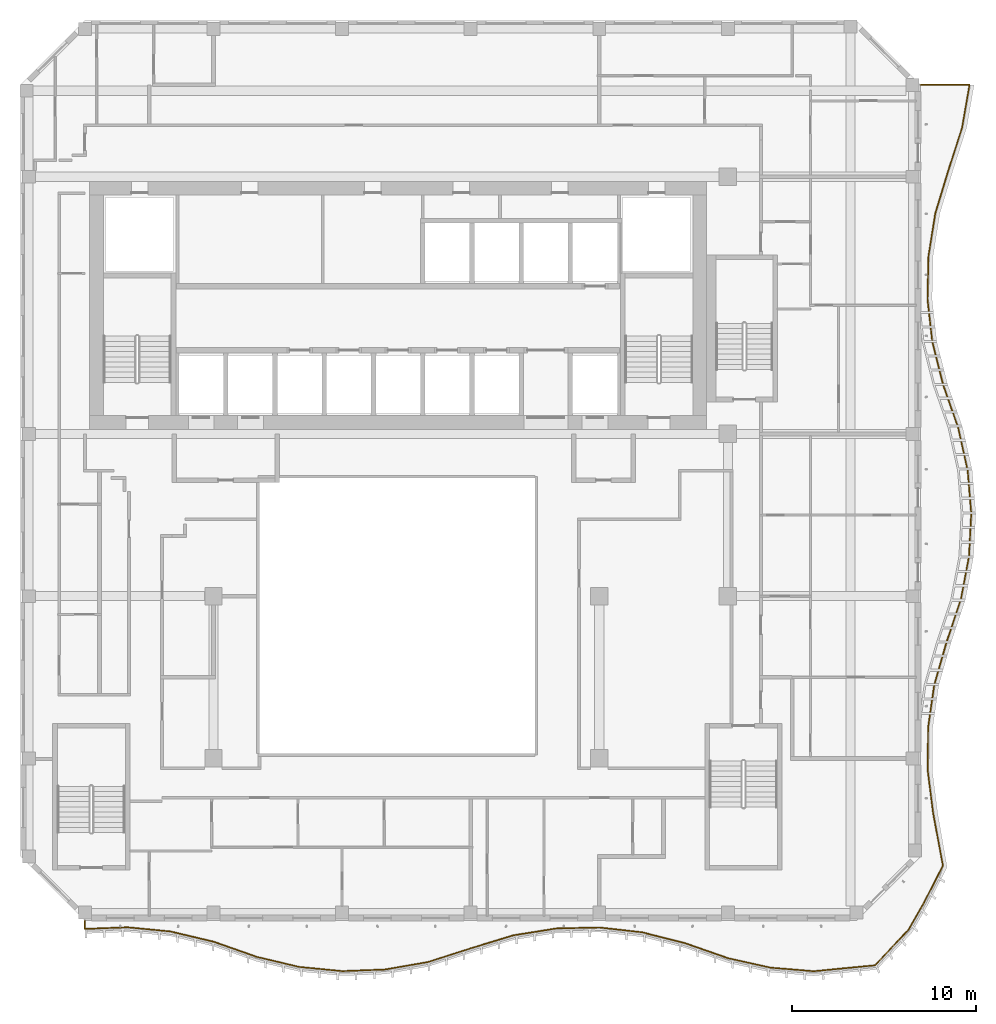
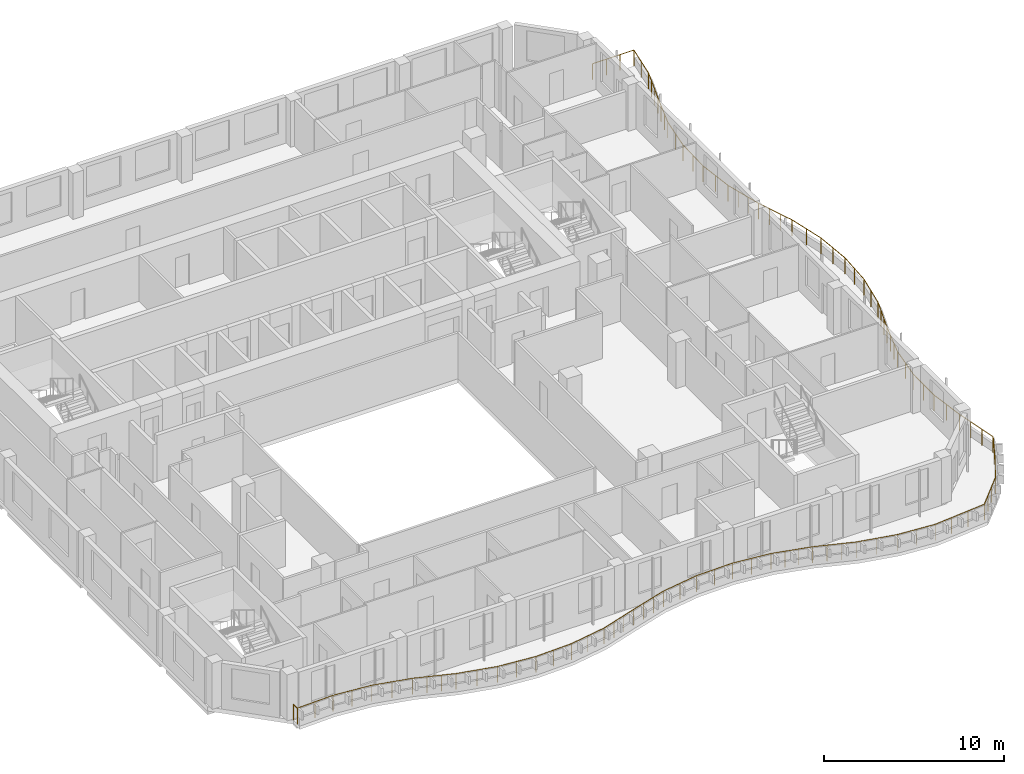
# One storey, part 17 of 20: 1 railing.
"""IFC4 building model written with IfcOpenShell, lengths in metres."""

from ifc_helpers import new_model, si_unit, direction, frame, origin, origin_2d, place, context, subcontext, project, spatial, circle, extrude, material, type_object, element, save


model = new_model("IFC4")

# Units and contexts
model_context = context("Model", 3, precision=1e-05, world=origin(), true_north=direction((0.0, 1.0)))
body_context = subcontext(model_context, "Body", "Model", "MODEL_VIEW")
ifc_project = project(units=[si_unit("LENGTHUNIT", "METRE"), si_unit("AREAUNIT", "SQUARE_METRE"), si_unit("VOLUMEUNIT", "CUBIC_METRE"), si_unit("PLANEANGLEUNIT", "RADIAN"), si_unit("MASSUNIT", "GRAM", prefix="KILO")], contexts=[model_context])

# Site, building, storey
site_placement = place(None, origin())
site = spatial("IfcSite", under=ifc_project, at=site_placement, CompositionType="ELEMENT")
building_placement = place(site_placement, origin())
building = spatial("IfcBuilding", under=site, at=building_placement, Name="Kilnfold Tower and Market Hall", CompositionType="ELEMENT")
storey_placement = place(building_placement, frame((0.0, 0.0, 239.0)))
storey = spatial("IfcBuildingStorey", under=building, at=storey_placement, Name="L57", CompositionType="ELEMENT", Elevation=239.0)

# Railing
ifc_material = material(Name="Stainless steel and laminated glass", Category="steel")
railing_type = type_object("IfcRailingType", Name="GUARD 1100", PredefinedType="GUARDRAIL", material=ifc_material)
railing_placement = place(storey_placement, frame((-16.0, -18.5, 0.0)))
element("IfcRailing", 1, at=railing_placement, inside=storey, type_object=railing_type, Name="Guard balcony L57", PredefinedType="GUARDRAIL", context=body_context, shape_type="SweptSolid", body=[
    extrude(circle(Radius=0.02490234375, at=origin_2d()), frame((0.0, 0.0, 1.0751953125), z_axis=(0.0, -1.0, 0.0), x_axis=(1.0, 0.0, 0.0)), (0.0, 0.0, 1.0), 0.44482421875),
    extrude(circle(Radius=0.02490234375, at=origin_2d()), frame((0.0, -0.44482421875, 1.0751953125), z_axis=(0.999303038081, 0.037328783572, 0.0), x_axis=(-0.037328783572, 0.999303038081, 0.0)), (0.0, 0.0, 1.0), 2.3349609375),
    extrude(circle(Radius=0.02490234375, at=origin_2d()), frame((2.333251953125, -0.357666015625, 1.0751953125), z_axis=(0.995289594459, -0.096946496384, 0.0), x_axis=(0.096946496384, 0.995289594459, 0.0)), (0.0, 0.0, 1.0), 2.344482421875),
    extrude(circle(Radius=0.02490234375, at=origin_2d()), frame((4.666748046875, -0.5849609375, 1.0751953125), z_axis=(0.972908793579, -0.231189271761, 0.0), x_axis=(0.231189271761, 0.972908793579, 0.0)), (0.0, 0.0, 1.0), 2.398193359375),
    extrude(circle(Radius=0.02490234375, at=origin_2d()), frame((7.0, -1.139404296875, 1.0751953125), z_axis=(0.943455967454, -0.331497869489, 0.0), x_axis=(0.331497869489, 0.943455967454, 0.0)), (0.0, 0.0, 1.0), 2.47314453125),
    extrude(circle(Radius=0.02490234375, at=origin_2d()), frame((9.333251953125, -1.959228515625, 1.0751953125), z_axis=(0.972845516139, -0.231455399006, 0.0), x_axis=(0.231455399006, 0.972845516139, 0.0)), (0.0, 0.0, 1.0), 2.398681640625),
    extrude(circle(Radius=0.02490234375, at=origin_2d()), frame((11.666748046875, -2.514404296875, 1.0751953125), z_axis=(0.995268495211, -0.097162865547, 0.0), x_axis=(0.097162865547, 0.995268495211, 0.0)), (0.0, 0.0, 1.0), 2.34423828125),
    extrude(circle(Radius=0.02490234375, at=origin_2d()), frame((14.0, -2.7421875, 1.0751953125), z_axis=(0.999310817255, 0.037119947695, 0.0), x_axis=(-0.037119947695, 0.999310817255, 0.0)), (0.0, 0.0, 1.0), 2.3349609375),
    extrude(circle(Radius=0.02490234375, at=origin_2d()), frame((16.333251953125, -2.655517578125, 1.0751953125), z_axis=(0.985233686596, 0.171215019192, 0.0), x_axis=(-0.171215019192, 0.985233686596, 0.0)), (0.0, 0.0, 1.0), 2.368408203125),
    extrude(circle(Radius=0.02490234375, at=origin_2d()), frame((18.666748046875, -2.25, 1.0751953125), z_axis=(0.95225740835, 0.305296295823, 0.0), x_axis=(-0.305296295823, 0.95225740835, 0.0)), (0.0, 0.0, 1.0), 2.4501953125),
    extrude(circle(Radius=0.02490234375, at=origin_2d()), frame((21.0, -1.501953125, 1.0751953125), z_axis=(0.956608396166, 0.29137669156, 0.0), x_axis=(-0.29137669156, 0.956608396166, 0.0)), (0.0, 0.0, 1.0), 2.439208984375),
    extrude(circle(Radius=0.02490234375, at=origin_2d()), frame((23.333251953125, -0.791259765625, 1.0751953125), z_axis=(0.987589778257, 0.157055499367, 0.0), x_axis=(-0.157055499367, 0.987589778257, 0.0)), (0.0, 0.0, 1.0), 2.36279296875),
    extrude(circle(Radius=0.02490234375, at=origin_2d()), frame((25.666748046875, -0.420166015625, 1.0751953125), z_axis=(0.999739941902, 0.022804573332, 0.0), x_axis=(-0.022804573332, 0.999739941902, 0.0)), (0.0, 0.0, 1.0), 2.333740234375),
    extrude(circle(Radius=0.02490234375, at=origin_2d()), frame((28.0, -0.366943359375, 1.0751953125), z_axis=(0.993767796015, -0.111470030065, 0.0), x_axis=(0.111470030065, 0.993767796015, 0.0)), (0.0, 0.0, 1.0), 2.347900390625),
    extrude(circle(Radius=0.02490234375, at=origin_2d()), frame((30.333251953125, -0.628662109375, 1.0751953125), z_axis=(0.969337830713, -0.245731906656, 0.0), x_axis=(0.245731906656, 0.969337830713, 0.0)), (0.0, 0.0, 1.0), 2.4072265625),
    extrude(circle(Radius=0.02490234375, at=origin_2d()), frame((32.666748046875, -1.22021484375, 1.0751953125), z_axis=(0.943979944569, -0.330002824611, 0.0), x_axis=(0.330002824611, 0.943979944569, 0.0)), (0.0, 0.0, 1.0), 2.4716796875),
    extrude(circle(Radius=0.02490234375, at=origin_2d()), frame((35.0, -2.035888671875, 1.0751953125), z_axis=(0.976182253207, -0.216952088083, 0.0), x_axis=(0.216952088083, 0.976182253207, 0.0)), (0.0, 0.0, 1.0), 2.39013671875),
    extrude(circle(Radius=0.02490234375, at=origin_2d()), frame((37.333251953125, -2.554443359375, 1.0751953125), z_axis=(0.996584479795, -0.082579504917, 0.0), x_axis=(0.082579504917, 0.996584479795, 0.0)), (0.0, 0.0, 1.0), 2.341552734375),
    extrude(circle(Radius=0.02490234375, at=origin_2d()), frame((39.666748046875, -2.747802734375, 1.0751953125), z_axis=(0.995422222904, 0.095575091676, 0.0), x_axis=(-0.095575091676, 0.995422222904, 0.0)), (0.0, 0.0, 1.0), 3.35400390625),
    extrude(circle(Radius=0.02490234375, at=origin_2d()), frame((43.00537109375, -2.42724609375, 1.0751953125), z_axis=(0.686126841928, 0.727481928838, 0.0), x_axis=(-0.727481928838, 0.686126841928, 0.0)), (0.0, 0.0, 1.0), 2.656494140625),
    extrude(circle(Radius=0.02490234375, at=origin_2d()), frame((44.828125, -0.49462890625, 1.0751953125), z_axis=(0.49818388275, 0.867071403616, 0.0), x_axis=(-0.867071403616, 0.49818388275, 0.0)), (0.0, 0.0, 1.0), 1.708740234375),
    extrude(circle(Radius=0.02490234375, at=origin_2d()), frame((45.679443359375, 0.987060546875, 1.0751953125), z_axis=(0.454844600621, 0.890570822162, 0.0), x_axis=(-0.890570822162, 0.454844600621, 0.0)), (0.0, 0.0, 1.0), 2.26025390625),
    extrude(circle(Radius=0.02490234375, at=origin_2d()), frame((46.70751953125, 3.0, 1.0751953125), z_axis=(-0.183966349119, 0.982932542137, 0.0), x_axis=(-0.982932542137, -0.183966349119, 0.0)), (0.0, 0.0, 1.0), 2.882568359375),
    extrude(circle(Radius=0.02490234375, at=origin_2d()), frame((46.17724609375, 5.833251953125, 1.0751953125), z_axis=(-0.126205998264, 0.992004055436, 0.0), x_axis=(-0.992004055436, -0.126205998264, 0.0)), (0.0, 0.0, 1.0), 2.352294921875),
    extrude(circle(Radius=0.02490234375, at=origin_2d()), frame((45.88037109375, 8.166748046875, 1.0751953125), z_axis=(0.007952034847, 0.999968382071, 0.0), x_axis=(-0.999968382071, 0.007952034847, 0.0)), (0.0, 0.0, 1.0), 2.333251953125),
    extrude(circle(Radius=0.02490234375, at=origin_2d()), frame((45.89892578125, 10.5, 1.0751953125), z_axis=(0.14230579139, 0.989822742584, 0.0), x_axis=(-0.989822742584, 0.14230579139, 0.0)), (0.0, 0.0, 1.0), 2.357177734375),
    extrude(circle(Radius=0.02490234375, at=origin_2d()), frame((46.234375, 12.833251953125, 1.0751953125), z_axis=(0.276592977758, 0.960987161545, 0.0), x_axis=(-0.960987161545, 0.276592977758, 0.0)), (0.0, 0.0, 1.0), 2.42822265625),
    extrude(circle(Radius=0.02490234375, at=origin_2d()), frame((46.906005859375, 15.166748046875, 1.0751953125), z_axis=(0.316614823647, 0.948554191097, 0.0), x_axis=(-0.948554191097, 0.316614823647, 0.0)), (0.0, 0.0, 1.0), 2.459716796875),
    extrude(circle(Radius=0.02490234375, at=origin_2d()), frame((47.684814453125, 17.5, 1.0751953125), z_axis=(0.186082127309, 0.982534193754, 0.0), x_axis=(-0.982534193754, 0.186082127309, 0.0)), (0.0, 0.0, 1.0), 2.374755859375),
    extrude(circle(Radius=0.02490234375, at=origin_2d()), frame((48.126708984375, 19.833251953125, 1.0751953125), z_axis=(0.051928171032, 0.998650822387, 0.0), x_axis=(-0.998650822387, 0.051928171032, 0.0)), (0.0, 0.0, 1.0), 2.336669921875),
    extrude(circle(Radius=0.02490234375, at=origin_2d()), frame((48.248046875, 22.166748046875, 1.0751953125), z_axis=(-0.082484518752, 0.99659234603, 0.0), x_axis=(-0.99659234603, -0.082484518752, 0.0)), (0.0, 0.0, 1.0), 2.34130859375),
    extrude(circle(Radius=0.02490234375, at=origin_2d()), frame((48.054931640625, 24.5, 1.0751953125), z_axis=(-0.216660052559, 0.976247110943, 0.0), x_axis=(-0.976247110943, -0.216660052559, 0.0)), (0.0, 0.0, 1.0), 2.39013671875),
    extrude(circle(Radius=0.02490234375, at=origin_2d()), frame((47.537109375, 26.833251953125, 1.0751953125), z_axis=(-0.329884042589, 0.944021460797, 0.0), x_axis=(-0.944021460797, -0.329884042589, 0.0)), (0.0, 0.0, 1.0), 2.471923828125),
    extrude(circle(Radius=0.02490234375, at=origin_2d()), frame((46.7216796875, 29.166748046875, 1.0751953125), z_axis=(-0.246041935802, 0.96925918403, 0.0), x_axis=(-0.96925918403, -0.246041935802, 0.0)), (0.0, 0.0, 1.0), 2.4072265625),
    extrude(circle(Radius=0.02490234375, at=origin_2d()), frame((46.12939453125, 31.5, 1.0751953125), z_axis=(-0.111675405291, 0.993744737774, 0.0), x_axis=(-0.993744737774, -0.111675405291, 0.0)), (0.0, 0.0, 1.0), 2.347900390625),
    extrude(circle(Radius=0.02490234375, at=origin_2d()), frame((45.8671875, 33.833251953125, 1.0751953125), z_axis=(0.022593101544, 0.999744743303, 0.0), x_axis=(-0.999744743303, 0.022593101544, 0.0)), (0.0, 0.0, 1.0), 2.333984375),
    extrude(circle(Radius=0.02490234375, at=origin_2d()), frame((45.919921875, 36.166748046875, 1.0751953125), z_axis=(0.15676914423, 0.98763527449, 0.0), x_axis=(-0.98763527449, 0.15676914423, 0.0)), (0.0, 0.0, 1.0), 2.362548828125),
    extrude(circle(Radius=0.02490234375, at=origin_2d()), frame((46.290283203125, 38.5, 1.0751953125), z_axis=(0.291101864674, 0.95669206351, 0.0), x_axis=(-0.95669206351, 0.291101864674, 0.0)), (0.0, 0.0, 1.0), 2.43896484375),
    extrude(circle(Radius=0.02490234375, at=origin_2d()), frame((47.000244140625, 40.833251953125, 1.0751953125), z_axis=(0.305448006527, 0.95220875616, 0.0), x_axis=(-0.95220875616, 0.305448006527, 0.0)), (0.0, 0.0, 1.0), 2.45068359375),
    extrude(circle(Radius=0.02490234375, at=origin_2d()), frame((47.748779296875, 43.166748046875, 1.0751953125), z_axis=(0.17163263585, 0.985161021514, 0.0), x_axis=(-0.985161021514, 0.17163263585, 0.0)), (0.0, 0.0, 1.0), 2.368408203125),
    extrude(circle(Radius=0.02490234375, at=origin_2d()), frame((48.1552734375, 45.5, 1.0751953125), z_axis=(-1.0, 0.0, 0.0), x_axis=(0.0, -1.0, 0.0)), (0.0, 0.0, 1.0), 2.6552734375),
    extrude(circle(Radius=0.02490234375, at=origin_2d()), origin(), (0.0, 0.0, 1.0), 1.050048828125),
    extrude(circle(Radius=0.02490234375, at=origin_2d()), frame((0.0, -0.44482421875, 0.0)), (0.0, 0.0, 1.0), 1.050048828125),
    extrude(circle(Radius=0.02490234375, at=origin_2d()), frame((1.16650390625, -0.4013671875, 0.0)), (0.0, 0.0, 1.0), 1.050048828125),
    extrude(circle(Radius=0.02490234375, at=origin_2d()), frame((2.333251953125, -0.357666015625, 0.0)), (0.0, 0.0, 1.0), 1.050048828125),
    extrude(circle(Radius=0.02490234375, at=origin_2d()), frame((3.5, -0.47119140625, 0.0)), (0.0, 0.0, 1.0), 1.050048828125),
    extrude(circle(Radius=0.02490234375, at=origin_2d()), frame((4.666748046875, -0.5849609375, 0.0)), (0.0, 0.0, 1.0), 1.050048828125),
    extrude(circle(Radius=0.02490234375, at=origin_2d()), frame((5.83349609375, -0.8623046875, 0.0)), (0.0, 0.0, 1.0), 1.050048828125),
    extrude(circle(Radius=0.02490234375, at=origin_2d()), frame((7.0, -1.139404296875, 0.0)), (0.0, 0.0, 1.0), 1.050048828125),
    extrude(circle(Radius=0.02490234375, at=origin_2d()), frame((7.77783203125, -1.41259765625, 0.0)), (0.0, 0.0, 1.0), 1.050048828125),
    extrude(circle(Radius=0.02490234375, at=origin_2d()), frame((8.555419921875, -1.68603515625, 0.0)), (0.0, 0.0, 1.0), 1.050048828125),
    extrude(circle(Radius=0.02490234375, at=origin_2d()), frame((9.333251953125, -1.959228515625, 0.0)), (0.0, 0.0, 1.0), 1.050048828125),
    extrude(circle(Radius=0.02490234375, at=origin_2d()), frame((10.5, -2.23681640625, 0.0)), (0.0, 0.0, 1.0), 1.050048828125),
    extrude(circle(Radius=0.02490234375, at=origin_2d()), frame((11.666748046875, -2.514404296875, 0.0)), (0.0, 0.0, 1.0), 1.050048828125),
    extrude(circle(Radius=0.02490234375, at=origin_2d()), frame((12.83349609375, -2.62841796875, 0.0)), (0.0, 0.0, 1.0), 1.050048828125),
    extrude(circle(Radius=0.02490234375, at=origin_2d()), frame((14.0, -2.7421875, 0.0)), (0.0, 0.0, 1.0), 1.050048828125),
    extrude(circle(Radius=0.02490234375, at=origin_2d()), frame((15.16650390625, -2.69873046875, 0.0)), (0.0, 0.0, 1.0), 1.050048828125),
    extrude(circle(Radius=0.02490234375, at=origin_2d()), frame((16.333251953125, -2.655517578125, 0.0)), (0.0, 0.0, 1.0), 1.050048828125),
    extrude(circle(Radius=0.02490234375, at=origin_2d()), frame((17.5, -2.45263671875, 0.0)), (0.0, 0.0, 1.0), 1.050048828125),
    extrude(circle(Radius=0.02490234375, at=origin_2d()), frame((18.666748046875, -2.25, 0.0)), (0.0, 0.0, 1.0), 1.050048828125),
    extrude(circle(Radius=0.02490234375, at=origin_2d()), frame((19.444580078125, -2.000732421875, 0.0)), (0.0, 0.0, 1.0), 1.050048828125),
    extrude(circle(Radius=0.02490234375, at=origin_2d()), frame((20.22216796875, -1.751220703125, 0.0)), (0.0, 0.0, 1.0), 1.050048828125),
    extrude(circle(Radius=0.02490234375, at=origin_2d()), frame((21.0, -1.501953125, 0.0)), (0.0, 0.0, 1.0), 1.050048828125),
    extrude(circle(Radius=0.02490234375, at=origin_2d()), frame((21.77783203125, -1.26513671875, 0.0)), (0.0, 0.0, 1.0), 1.050048828125),
    extrude(circle(Radius=0.02490234375, at=origin_2d()), frame((22.555419921875, -1.028076171875, 0.0)), (0.0, 0.0, 1.0), 1.050048828125),
    extrude(circle(Radius=0.02490234375, at=origin_2d()), frame((23.333251953125, -0.791259765625, 0.0)), (0.0, 0.0, 1.0), 1.050048828125),
    extrude(circle(Radius=0.02490234375, at=origin_2d()), frame((24.5, -0.605712890625, 0.0)), (0.0, 0.0, 1.0), 1.050048828125),
    extrude(circle(Radius=0.02490234375, at=origin_2d()), frame((25.666748046875, -0.420166015625, 0.0)), (0.0, 0.0, 1.0), 1.050048828125),
    extrude(circle(Radius=0.02490234375, at=origin_2d()), frame((26.83349609375, -0.3935546875, 0.0)), (0.0, 0.0, 1.0), 1.050048828125),
    extrude(circle(Radius=0.02490234375, at=origin_2d()), frame((28.0, -0.366943359375, 0.0)), (0.0, 0.0, 1.0), 1.050048828125),
    extrude(circle(Radius=0.02490234375, at=origin_2d()), frame((29.16650390625, -0.497802734375, 0.0)), (0.0, 0.0, 1.0), 1.050048828125),
    extrude(circle(Radius=0.02490234375, at=origin_2d()), frame((30.333251953125, -0.628662109375, 0.0)), (0.0, 0.0, 1.0), 1.050048828125),
    extrude(circle(Radius=0.02490234375, at=origin_2d()), frame((31.111083984375, -0.825927734375, 0.0)), (0.0, 0.0, 1.0), 1.050048828125),
    extrude(circle(Radius=0.02490234375, at=origin_2d()), frame((31.888916015625, -1.02294921875, 0.0)), (0.0, 0.0, 1.0), 1.050048828125),
    extrude(circle(Radius=0.02490234375, at=origin_2d()), frame((32.666748046875, -1.22021484375, 0.0)), (0.0, 0.0, 1.0), 1.050048828125),
    extrude(circle(Radius=0.02490234375, at=origin_2d()), frame((33.444580078125, -1.4921875, 0.0)), (0.0, 0.0, 1.0), 1.050048828125),
    extrude(circle(Radius=0.02490234375, at=origin_2d()), frame((34.22216796875, -1.763916015625, 0.0)), (0.0, 0.0, 1.0), 1.050048828125),
    extrude(circle(Radius=0.02490234375, at=origin_2d()), frame((35.0, -2.035888671875, 0.0)), (0.0, 0.0, 1.0), 1.050048828125),
    extrude(circle(Radius=0.02490234375, at=origin_2d()), frame((36.16650390625, -2.295166015625, 0.0)), (0.0, 0.0, 1.0), 1.050048828125),
    extrude(circle(Radius=0.02490234375, at=origin_2d()), frame((37.333251953125, -2.554443359375, 0.0)), (0.0, 0.0, 1.0), 1.050048828125),
    extrude(circle(Radius=0.02490234375, at=origin_2d()), frame((38.5, -2.651123046875, 0.0)), (0.0, 0.0, 1.0), 1.050048828125),
    extrude(circle(Radius=0.02490234375, at=origin_2d()), frame((39.666748046875, -2.747802734375, 0.0)), (0.0, 0.0, 1.0), 1.050048828125),
    extrude(circle(Radius=0.02490234375, at=origin_2d()), frame((40.779541015625, -2.640869140625, 0.0)), (0.0, 0.0, 1.0), 1.050048828125),
    extrude(circle(Radius=0.02490234375, at=origin_2d()), frame((41.892578125, -2.5341796875, 0.0)), (0.0, 0.0, 1.0), 1.050048828125),
    extrude(circle(Radius=0.02490234375, at=origin_2d()), frame((43.00537109375, -2.42724609375, 0.0)), (0.0, 0.0, 1.0), 1.050048828125),
    extrude(circle(Radius=0.02490234375, at=origin_2d()), frame((43.613037109375, -1.782958984375, 0.0)), (0.0, 0.0, 1.0), 1.050048828125),
    extrude(circle(Radius=0.02490234375, at=origin_2d()), frame((44.220458984375, -1.138916015625, 0.0)), (0.0, 0.0, 1.0), 1.050048828125),
    extrude(circle(Radius=0.02490234375, at=origin_2d()), frame((44.828125, -0.49462890625, 0.0)), (0.0, 0.0, 1.0), 1.050048828125),
    extrude(circle(Radius=0.02490234375, at=origin_2d()), frame((45.25390625, 0.24609375, 0.0)), (0.0, 0.0, 1.0), 1.050048828125),
    extrude(circle(Radius=0.02490234375, at=origin_2d()), frame((45.679443359375, 0.987060546875, 0.0)), (0.0, 0.0, 1.0), 1.050048828125),
    extrude(circle(Radius=0.02490234375, at=origin_2d()), frame((46.193359375, 1.99365234375, 0.0)), (0.0, 0.0, 1.0), 1.050048828125),
    extrude(circle(Radius=0.02490234375, at=origin_2d()), frame((46.70751953125, 3.0, 0.0)), (0.0, 0.0, 1.0), 1.050048828125),
    extrude(circle(Radius=0.02490234375, at=origin_2d()), frame((46.53076171875, 3.9443359375, 0.0)), (0.0, 0.0, 1.0), 1.050048828125),
    extrude(circle(Radius=0.02490234375, at=origin_2d()), frame((46.35400390625, 4.888916015625, 0.0)), (0.0, 0.0, 1.0), 1.050048828125),
    extrude(circle(Radius=0.02490234375, at=origin_2d()), frame((46.17724609375, 5.833251953125, 0.0)), (0.0, 0.0, 1.0), 1.050048828125),
    extrude(circle(Radius=0.02490234375, at=origin_2d()), frame((46.02880859375, 7.0, 0.0)), (0.0, 0.0, 1.0), 1.050048828125),
    extrude(circle(Radius=0.02490234375, at=origin_2d()), frame((45.88037109375, 8.166748046875, 0.0)), (0.0, 0.0, 1.0), 1.050048828125),
    extrude(circle(Radius=0.02490234375, at=origin_2d()), frame((45.8896484375, 9.33349609375, 0.0)), (0.0, 0.0, 1.0), 1.050048828125),
    extrude(circle(Radius=0.02490234375, at=origin_2d()), frame((45.89892578125, 10.5, 0.0)), (0.0, 0.0, 1.0), 1.050048828125),
    extrude(circle(Radius=0.02490234375, at=origin_2d()), frame((46.066650390625, 11.66650390625, 0.0)), (0.0, 0.0, 1.0), 1.050048828125),
    extrude(circle(Radius=0.02490234375, at=origin_2d()), frame((46.234375, 12.833251953125, 0.0)), (0.0, 0.0, 1.0), 1.050048828125),
    extrude(circle(Radius=0.02490234375, at=origin_2d()), frame((46.458251953125, 13.611083984375, 0.0)), (0.0, 0.0, 1.0), 1.050048828125),
    extrude(circle(Radius=0.02490234375, at=origin_2d()), frame((46.68212890625, 14.388916015625, 0.0)), (0.0, 0.0, 1.0), 1.050048828125),
    extrude(circle(Radius=0.02490234375, at=origin_2d()), frame((46.906005859375, 15.166748046875, 0.0)), (0.0, 0.0, 1.0), 1.050048828125),
    extrude(circle(Radius=0.02490234375, at=origin_2d()), frame((47.16552734375, 15.944580078125, 0.0)), (0.0, 0.0, 1.0), 1.050048828125),
    extrude(circle(Radius=0.02490234375, at=origin_2d()), frame((47.42529296875, 16.72216796875, 0.0)), (0.0, 0.0, 1.0), 1.050048828125),
    extrude(circle(Radius=0.02490234375, at=origin_2d()), frame((47.684814453125, 17.5, 0.0)), (0.0, 0.0, 1.0), 1.050048828125),
    extrude(circle(Radius=0.02490234375, at=origin_2d()), frame((47.90576171875, 18.66650390625, 0.0)), (0.0, 0.0, 1.0), 1.050048828125),
    extrude(circle(Radius=0.02490234375, at=origin_2d()), frame((48.126708984375, 19.833251953125, 0.0)), (0.0, 0.0, 1.0), 1.050048828125),
    extrude(circle(Radius=0.02490234375, at=origin_2d()), frame((48.1875, 21.0, 0.0)), (0.0, 0.0, 1.0), 1.050048828125),
    extrude(circle(Radius=0.02490234375, at=origin_2d()), frame((48.248046875, 22.166748046875, 0.0)), (0.0, 0.0, 1.0), 1.050048828125),
    extrude(circle(Radius=0.02490234375, at=origin_2d()), frame((48.1513671875, 23.33349609375, 0.0)), (0.0, 0.0, 1.0), 1.050048828125),
    extrude(circle(Radius=0.02490234375, at=origin_2d()), frame((48.054931640625, 24.5, 0.0)), (0.0, 0.0, 1.0), 1.050048828125),
    extrude(circle(Radius=0.02490234375, at=origin_2d()), frame((47.7958984375, 25.66650390625, 0.0)), (0.0, 0.0, 1.0), 1.050048828125),
    extrude(circle(Radius=0.02490234375, at=origin_2d()), frame((47.537109375, 26.833251953125, 0.0)), (0.0, 0.0, 1.0), 1.050048828125),
    extrude(circle(Radius=0.02490234375, at=origin_2d()), frame((47.265380859375, 27.611083984375, 0.0)), (0.0, 0.0, 1.0), 1.050048828125),
    extrude(circle(Radius=0.02490234375, at=origin_2d()), frame((46.993408203125, 28.388916015625, 0.0)), (0.0, 0.0, 1.0), 1.050048828125),
    extrude(circle(Radius=0.02490234375, at=origin_2d()), frame((46.7216796875, 29.166748046875, 0.0)), (0.0, 0.0, 1.0), 1.050048828125),
    extrude(circle(Radius=0.02490234375, at=origin_2d()), frame((46.524169921875, 29.944580078125, 0.0)), (0.0, 0.0, 1.0), 1.050048828125),
    extrude(circle(Radius=0.02490234375, at=origin_2d()), frame((46.326904296875, 30.72216796875, 0.0)), (0.0, 0.0, 1.0), 1.050048828125),
    extrude(circle(Radius=0.02490234375, at=origin_2d()), frame((46.12939453125, 31.5, 0.0)), (0.0, 0.0, 1.0), 1.050048828125),
    extrude(circle(Radius=0.02490234375, at=origin_2d()), frame((45.998291015625, 32.66650390625, 0.0)), (0.0, 0.0, 1.0), 1.050048828125),
    extrude(circle(Radius=0.02490234375, at=origin_2d()), frame((45.8671875, 33.833251953125, 0.0)), (0.0, 0.0, 1.0), 1.050048828125),
    extrude(circle(Radius=0.02490234375, at=origin_2d()), frame((45.8935546875, 35.0, 0.0)), (0.0, 0.0, 1.0), 1.050048828125),
    extrude(circle(Radius=0.02490234375, at=origin_2d()), frame((45.919921875, 36.166748046875, 0.0)), (0.0, 0.0, 1.0), 1.050048828125),
    extrude(circle(Radius=0.02490234375, at=origin_2d()), frame((46.10498046875, 37.33349609375, 0.0)), (0.0, 0.0, 1.0), 1.050048828125),
    extrude(circle(Radius=0.02490234375, at=origin_2d()), frame((46.290283203125, 38.5, 0.0)), (0.0, 0.0, 1.0), 1.050048828125),
    extrude(circle(Radius=0.02490234375, at=origin_2d()), frame((46.52685546875, 39.27783203125, 0.0)), (0.0, 0.0, 1.0), 1.050048828125),
    extrude(circle(Radius=0.02490234375, at=origin_2d()), frame((46.763671875, 40.055419921875, 0.0)), (0.0, 0.0, 1.0), 1.050048828125),
    extrude(circle(Radius=0.02490234375, at=origin_2d()), frame((47.000244140625, 40.833251953125, 0.0)), (0.0, 0.0, 1.0), 1.050048828125),
    extrude(circle(Radius=0.02490234375, at=origin_2d()), frame((47.249755859375, 41.611083984375, 0.0)), (0.0, 0.0, 1.0), 1.050048828125),
    extrude(circle(Radius=0.02490234375, at=origin_2d()), frame((47.499267578125, 42.388916015625, 0.0)), (0.0, 0.0, 1.0), 1.050048828125),
    extrude(circle(Radius=0.02490234375, at=origin_2d()), frame((47.748779296875, 43.166748046875, 0.0)), (0.0, 0.0, 1.0), 1.050048828125),
    extrude(circle(Radius=0.02490234375, at=origin_2d()), frame((47.9521484375, 44.33349609375, 0.0)), (0.0, 0.0, 1.0), 1.050048828125),
    extrude(circle(Radius=0.02490234375, at=origin_2d()), frame((48.1552734375, 45.5, 0.0)), (0.0, 0.0, 1.0), 1.050048828125),
    extrude(circle(Radius=0.02490234375, at=origin_2d()), frame((47.270263671875, 45.5, 0.0)), (0.0, 0.0, 1.0), 1.050048828125),
    extrude(circle(Radius=0.02490234375, at=origin_2d()), frame((46.385009765625, 45.5, 0.0)), (0.0, 0.0, 1.0), 1.050048828125),
    extrude(circle(Radius=0.02490234375, at=origin_2d()), frame((45.5, 45.5, 0.0)), (0.0, 0.0, 1.0), 1.050048828125),
])

save(model, "model.ifc")
